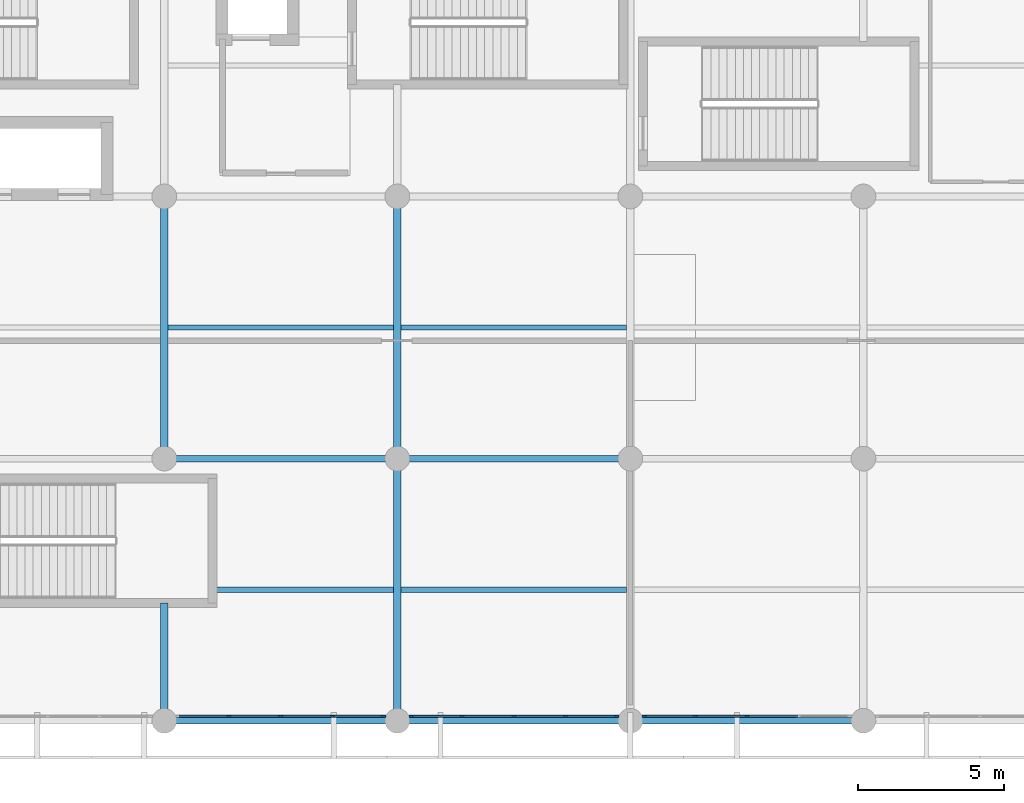
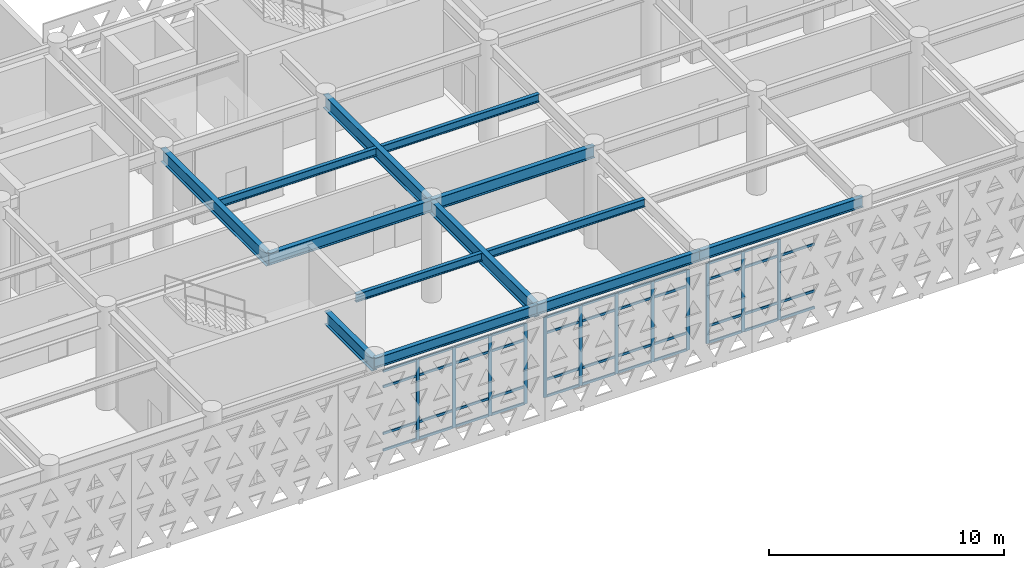
# One storey, part 14 of 84: 55 members, 13 beams, 3 elements without a shape of their own.
"""IFC4 building model written with IfcOpenShell, lengths in metres."""

from ifc_helpers import new_model, si_unit, direction, frame, origin, origin_2d, place, context, subcontext, project, spatial, rectangle, i_section, extrude, material, layer, layer_set, material_profile, profile_set, type_object, element, aggregate, save


model = new_model("IFC4")

# Units and contexts
model_context = context("Model", 3, precision=1e-05, world=origin(), true_north=direction((0.0, 1.0)))
body_context = subcontext(model_context, "Body", "Model", "MODEL_VIEW")
ifc_project = project(units=[si_unit("LENGTHUNIT", "METRE"), si_unit("AREAUNIT", "SQUARE_METRE"), si_unit("VOLUMEUNIT", "CUBIC_METRE"), si_unit("PLANEANGLEUNIT", "RADIAN"), si_unit("MASSUNIT", "GRAM", prefix="KILO")], contexts=[model_context])

# Site, building, storey
site_placement = place(None, origin())
site = spatial("IfcSite", under=ifc_project, at=site_placement, CompositionType="ELEMENT")
building_placement = place(site_placement, origin())
building = spatial("IfcBuilding", under=site, at=building_placement, Name="Tlacozan Convention Centre", CompositionType="ELEMENT")
storey_placement = place(building_placement, frame((0.0, 0.0, 6.0)))
storey = spatial("IfcBuildingStorey", under=building, at=storey_placement, Name="L01", CompositionType="ELEMENT", Elevation=6.0)

# Curtain wall, members
ifc_material_1 = material(Name="Dark Bronze Anodised Aluminium", Category="aluminium")
ifc_layer = layer(ifc_material_1, 0.159912109375)
ifc_layer_set = layer_set([ifc_layer], Name="Dark Bronze Anodised Aluminium")
curtain_wall_type = type_object("IfcCurtainWallType", Name="Unitised Congress L01 South CW02", PredefinedType="NOTDEFINED", material=ifc_layer_set)
curtain_wall_1_placement = place(storey_placement, origin())
curtain_wall_1 = element("IfcCurtainWall", 1, at=curtain_wall_1_placement, inside=storey, type_object=curtain_wall_type, Name="L01 CW-02 Run 59", PredefinedType="NOTDEFINED")
ifc_material_profile_1 = material_profile(ifc_material_1, rectangle(XDim=0.06494140625, YDim=0.159912109375, at=origin_2d()), Name="ALU 65x160")
ifc_profile_set_1 = profile_set([ifc_material_profile_1], Name="Dark Bronze Anodised Aluminium")
member_type_1 = type_object("IfcMemberType", Name="Curtain Wall Mullion 65x160", PredefinedType="MULLION", material=ifc_profile_set_1)
member_1_placement = place(storey_placement, frame((34.22509765625, 0.159912109375, 0.0), z_axis=(0.0, 0.0, 1.0), x_axis=(0.0, 1.0, 0.0)))
member_1 = element("IfcMember", 2, at=member_1_placement, type_object=member_type_1, Name="CW-02 mullion 2", PredefinedType="MULLION", context=body_context, shape_type="SweptSolid", body=[
    extrude(rectangle(XDim=0.06494140625, YDim=0.159912109375, at=origin_2d()), origin(), (0.0, 0.0, 1.0), 4.179931640625),
])
member_2_placement = place(storey_placement, frame((36.0, 0.159912109375, 0.0), z_axis=(0.0, 0.0, 1.0), x_axis=(0.0, 1.0, 0.0)))
member_2 = element("IfcMember", 3, at=member_2_placement, type_object=member_type_1, Name="CW-02 mullion 3", PredefinedType="MULLION", context=body_context, shape_type="SweptSolid", body=[
    extrude(rectangle(XDim=0.06494140625, YDim=0.159912109375, at=origin_2d()), origin(), (0.0, 0.0, 1.0), 4.179931640625),
])
member_3_placement = place(storey_placement, frame((37.77490234375, 0.159912109375, 0.0), z_axis=(0.0, 0.0, 1.0), x_axis=(0.0, 1.0, 0.0)))
member_3 = element("IfcMember", 4, at=member_3_placement, type_object=member_type_1, Name="CW-02 mullion 4", PredefinedType="MULLION", context=body_context, shape_type="SweptSolid", body=[
    extrude(rectangle(XDim=0.06494140625, YDim=0.159912109375, at=origin_2d()), origin(), (0.0, 0.0, 1.0), 4.179931640625),
])
member_4_placement = place(storey_placement, frame((39.517578125, 0.159912109375, 0.0), z_axis=(0.0, 0.0, 1.0), x_axis=(0.0, 1.0, 0.0)))
member_4 = element("IfcMember", 5, at=member_4_placement, type_object=member_type_1, Name="CW-02 mullion 5", PredefinedType="MULLION", context=body_context, shape_type="SweptSolid", body=[
    extrude(rectangle(XDim=0.06494140625, YDim=0.159912109375, at=origin_2d()), origin(), (0.0, 0.0, 1.0), 4.179931640625),
])

curtain_wall_2_placement = place(storey_placement, origin())
curtain_wall_2 = element("IfcCurtainWall", 6, at=curtain_wall_2_placement, inside=storey, type_object=curtain_wall_type, Name="L01 CW-02 Run 60", PredefinedType="NOTDEFINED")
member_5_placement = place(storey_placement, frame((40.482421875, 0.159912109375, 0.0), z_axis=(0.0, 0.0, 1.0), x_axis=(0.0, 1.0, 0.0)))
member_5 = element("IfcMember", 7, at=member_5_placement, type_object=member_type_1, Name="CW-02 mullion 1", PredefinedType="MULLION", context=body_context, shape_type="SweptSolid", body=[
    extrude(rectangle(XDim=0.06494140625, YDim=0.159912109375, at=origin_2d()), origin(), (0.0, 0.0, 1.0), 4.179931640625),
])
member_6_placement = place(storey_placement, frame((42.22509765625, 0.159912109375, 0.0), z_axis=(0.0, 0.0, 1.0), x_axis=(0.0, 1.0, 0.0)))
member_6 = element("IfcMember", 8, at=member_6_placement, type_object=member_type_1, Name="CW-02 mullion 2", PredefinedType="MULLION", context=body_context, shape_type="SweptSolid", body=[
    extrude(rectangle(XDim=0.06494140625, YDim=0.159912109375, at=origin_2d()), origin(), (0.0, 0.0, 1.0), 4.179931640625),
])
member_7_placement = place(storey_placement, frame((44.0, 0.159912109375, 0.0), z_axis=(0.0, 0.0, 1.0), x_axis=(0.0, 1.0, 0.0)))
member_7 = element("IfcMember", 9, at=member_7_placement, type_object=member_type_1, Name="CW-02 mullion 3", PredefinedType="MULLION", context=body_context, shape_type="SweptSolid", body=[
    extrude(rectangle(XDim=0.06494140625, YDim=0.159912109375, at=origin_2d()), origin(), (0.0, 0.0, 1.0), 4.179931640625),
])
member_8_placement = place(storey_placement, frame((45.77490234375, 0.159912109375, 0.0), z_axis=(0.0, 0.0, 1.0), x_axis=(0.0, 1.0, 0.0)))
member_8 = element("IfcMember", 10, at=member_8_placement, type_object=member_type_1, Name="CW-02 mullion 4", PredefinedType="MULLION", context=body_context, shape_type="SweptSolid", body=[
    extrude(rectangle(XDim=0.06494140625, YDim=0.159912109375, at=origin_2d()), origin(), (0.0, 0.0, 1.0), 4.179931640625),
])
member_9_placement = place(storey_placement, frame((47.517578125, 0.159912109375, 0.0), z_axis=(0.0, 0.0, 1.0), x_axis=(0.0, 1.0, 0.0)))
member_9 = element("IfcMember", 11, at=member_9_placement, type_object=member_type_1, Name="CW-02 mullion 5", PredefinedType="MULLION", context=body_context, shape_type="SweptSolid", body=[
    extrude(rectangle(XDim=0.06494140625, YDim=0.159912109375, at=origin_2d()), origin(), (0.0, 0.0, 1.0), 4.179931640625),
])

curtain_wall_3_placement = place(storey_placement, origin())
curtain_wall_3 = element("IfcCurtainWall", 12, at=curtain_wall_3_placement, inside=storey, type_object=curtain_wall_type, Name="L01 CW-02 Run 61", PredefinedType="NOTDEFINED")
member_10_placement = place(storey_placement, frame((48.482421875, 0.159912109375, 0.0), z_axis=(0.0, 0.0, 1.0), x_axis=(0.0, 1.0, 0.0)))
member_10 = element("IfcMember", 13, at=member_10_placement, type_object=member_type_1, Name="CW-02 mullion 1", PredefinedType="MULLION", context=body_context, shape_type="SweptSolid", body=[
    extrude(rectangle(XDim=0.06494140625, YDim=0.159912109375, at=origin_2d()), origin(), (0.0, 0.0, 1.0), 4.179931640625),
])
member_11_placement = place(storey_placement, frame((50.22509765625, 0.159912109375, 0.0), z_axis=(0.0, 0.0, 1.0), x_axis=(0.0, 1.0, 0.0)))
member_11 = element("IfcMember", 14, at=member_11_placement, type_object=member_type_1, Name="CW-02 mullion 2", PredefinedType="MULLION", context=body_context, shape_type="SweptSolid", body=[
    extrude(rectangle(XDim=0.06494140625, YDim=0.159912109375, at=origin_2d()), origin(), (0.0, 0.0, 1.0), 4.179931640625),
])
member_12_placement = place(storey_placement, frame((52.0, 0.159912109375, 0.0), z_axis=(0.0, 0.0, 1.0), x_axis=(0.0, 1.0, 0.0)))
member_12 = element("IfcMember", 15, at=member_12_placement, type_object=member_type_1, Name="CW-02 mullion 3", PredefinedType="MULLION", context=body_context, shape_type="SweptSolid", body=[
    extrude(rectangle(XDim=0.06494140625, YDim=0.159912109375, at=origin_2d()), origin(), (0.0, 0.0, 1.0), 4.179931640625),
])

# Member
ifc_material_profile_2 = material_profile(ifc_material_1, rectangle(XDim=0.06494140625, YDim=0.125, at=origin_2d()), Name="ALU 65x125")
ifc_profile_set_2 = profile_set([ifc_material_profile_2], Name="Dark Bronze Anodised Aluminium")
member_type_2 = type_object("IfcMemberType", Name="Curtain Wall Transom 65x125", PredefinedType="USERDEFINED", material=ifc_profile_set_2)
member_13_placement = place(storey_placement, frame((32.514892578125, 0.159912109375, 0.032470703125), z_axis=(1.0, 0.0, 0.0), x_axis=(0.0, 1.0, 0.0)))
member_13 = element("IfcMember", 16, at=member_13_placement, type_object=member_type_2, Name="CW-02 transom 1.1", ObjectType="TRANSOM", PredefinedType="USERDEFINED", context=body_context, shape_type="SweptSolid", body=[
    extrude(rectangle(XDim=0.06494140625, YDim=0.125, at=origin_2d()), origin(), (0.0, 0.0, 1.0), 1.677490234375),
])

member_14_placement = place(storey_placement, frame((32.514892578125, 0.159912109375, 0.89990234375), z_axis=(1.0, 0.0, 0.0), x_axis=(0.0, 1.0, 0.0)))
member_14 = element("IfcMember", 17, at=member_14_placement, type_object=member_type_2, Name="CW-02 transom 1.2", ObjectType="TRANSOM", PredefinedType="USERDEFINED", context=body_context, shape_type="SweptSolid", body=[
    extrude(rectangle(XDim=0.06494140625, YDim=0.125, at=origin_2d()), origin(), (0.0, 0.0, 1.0), 1.677490234375),
])

member_15_placement = place(storey_placement, frame((32.514892578125, 0.159912109375, 3.330078125), z_axis=(1.0, 0.0, 0.0), x_axis=(0.0, 1.0, 0.0)))
member_15 = element("IfcMember", 18, at=member_15_placement, type_object=member_type_2, Name="CW-02 transom 1.3", ObjectType="TRANSOM", PredefinedType="USERDEFINED", context=body_context, shape_type="SweptSolid", body=[
    extrude(rectangle(XDim=0.06494140625, YDim=0.125, at=origin_2d()), origin(), (0.0, 0.0, 1.0), 1.677490234375),
])

member_16_placement = place(storey_placement, frame((32.514892578125, 0.159912109375, 4.1474609375), z_axis=(1.0, 0.0, 0.0), x_axis=(0.0, 1.0, 0.0)))
member_16 = element("IfcMember", 19, at=member_16_placement, type_object=member_type_2, Name="CW-02 transom 1.4", ObjectType="TRANSOM", PredefinedType="USERDEFINED", context=body_context, shape_type="SweptSolid", body=[
    extrude(rectangle(XDim=0.06494140625, YDim=0.125, at=origin_2d()), origin(), (0.0, 0.0, 1.0), 1.677490234375),
])

member_17_placement = place(storey_placement, frame((34.257568359375, 0.159912109375, 0.032470703125), z_axis=(1.0, 0.0, 0.0), x_axis=(0.0, 1.0, 0.0)))
member_17 = element("IfcMember", 20, at=member_17_placement, type_object=member_type_2, Name="CW-02 transom 2.1", ObjectType="TRANSOM", PredefinedType="USERDEFINED", context=body_context, shape_type="SweptSolid", body=[
    extrude(rectangle(XDim=0.06494140625, YDim=0.125, at=origin_2d()), origin(), (0.0, 0.0, 1.0), 1.7099609375),
])

member_18_placement = place(storey_placement, frame((34.257568359375, 0.159912109375, 0.89990234375), z_axis=(1.0, 0.0, 0.0), x_axis=(0.0, 1.0, 0.0)))
member_18 = element("IfcMember", 21, at=member_18_placement, type_object=member_type_2, Name="CW-02 transom 2.2", ObjectType="TRANSOM", PredefinedType="USERDEFINED", context=body_context, shape_type="SweptSolid", body=[
    extrude(rectangle(XDim=0.06494140625, YDim=0.125, at=origin_2d()), origin(), (0.0, 0.0, 1.0), 1.7099609375),
])

member_19_placement = place(storey_placement, frame((34.257568359375, 0.159912109375, 3.330078125), z_axis=(1.0, 0.0, 0.0), x_axis=(0.0, 1.0, 0.0)))
member_19 = element("IfcMember", 22, at=member_19_placement, type_object=member_type_2, Name="CW-02 transom 2.3", ObjectType="TRANSOM", PredefinedType="USERDEFINED", context=body_context, shape_type="SweptSolid", body=[
    extrude(rectangle(XDim=0.06494140625, YDim=0.125, at=origin_2d()), origin(), (0.0, 0.0, 1.0), 1.7099609375),
])

member_20_placement = place(storey_placement, frame((34.257568359375, 0.159912109375, 4.1474609375), z_axis=(1.0, 0.0, 0.0), x_axis=(0.0, 1.0, 0.0)))
member_20 = element("IfcMember", 23, at=member_20_placement, type_object=member_type_2, Name="CW-02 transom 2.4", ObjectType="TRANSOM", PredefinedType="USERDEFINED", context=body_context, shape_type="SweptSolid", body=[
    extrude(rectangle(XDim=0.06494140625, YDim=0.125, at=origin_2d()), origin(), (0.0, 0.0, 1.0), 1.7099609375),
])

member_21_placement = place(storey_placement, frame((36.032470703125, 0.159912109375, 0.032470703125), z_axis=(1.0, 0.0, 0.0), x_axis=(0.0, 1.0, 0.0)))
member_21 = element("IfcMember", 24, at=member_21_placement, type_object=member_type_2, Name="CW-02 transom 3.1", ObjectType="TRANSOM", PredefinedType="USERDEFINED", context=body_context, shape_type="SweptSolid", body=[
    extrude(rectangle(XDim=0.06494140625, YDim=0.125, at=origin_2d()), origin(), (0.0, 0.0, 1.0), 1.7099609375),
])

member_22_placement = place(storey_placement, frame((36.032470703125, 0.159912109375, 0.89990234375), z_axis=(1.0, 0.0, 0.0), x_axis=(0.0, 1.0, 0.0)))
member_22 = element("IfcMember", 25, at=member_22_placement, type_object=member_type_2, Name="CW-02 transom 3.2", ObjectType="TRANSOM", PredefinedType="USERDEFINED", context=body_context, shape_type="SweptSolid", body=[
    extrude(rectangle(XDim=0.06494140625, YDim=0.125, at=origin_2d()), origin(), (0.0, 0.0, 1.0), 1.7099609375),
])

member_23_placement = place(storey_placement, frame((36.032470703125, 0.159912109375, 3.330078125), z_axis=(1.0, 0.0, 0.0), x_axis=(0.0, 1.0, 0.0)))
member_23 = element("IfcMember", 26, at=member_23_placement, type_object=member_type_2, Name="CW-02 transom 3.3", ObjectType="TRANSOM", PredefinedType="USERDEFINED", context=body_context, shape_type="SweptSolid", body=[
    extrude(rectangle(XDim=0.06494140625, YDim=0.125, at=origin_2d()), origin(), (0.0, 0.0, 1.0), 1.7099609375),
])

member_24_placement = place(storey_placement, frame((36.032470703125, 0.159912109375, 4.1474609375), z_axis=(1.0, 0.0, 0.0), x_axis=(0.0, 1.0, 0.0)))
member_24 = element("IfcMember", 27, at=member_24_placement, type_object=member_type_2, Name="CW-02 transom 3.4", ObjectType="TRANSOM", PredefinedType="USERDEFINED", context=body_context, shape_type="SweptSolid", body=[
    extrude(rectangle(XDim=0.06494140625, YDim=0.125, at=origin_2d()), origin(), (0.0, 0.0, 1.0), 1.7099609375),
])

member_25_placement = place(storey_placement, frame((37.8076171875, 0.159912109375, 0.032470703125), z_axis=(1.0, 0.0, 0.0), x_axis=(0.0, 1.0, 0.0)))
member_25 = element("IfcMember", 28, at=member_25_placement, type_object=member_type_2, Name="CW-02 transom 4.1", ObjectType="TRANSOM", PredefinedType="USERDEFINED", context=body_context, shape_type="SweptSolid", body=[
    extrude(rectangle(XDim=0.06494140625, YDim=0.125, at=origin_2d()), origin(), (0.0, 0.0, 1.0), 1.677490234375),
])

member_26_placement = place(storey_placement, frame((37.8076171875, 0.159912109375, 0.89990234375), z_axis=(1.0, 0.0, 0.0), x_axis=(0.0, 1.0, 0.0)))
member_26 = element("IfcMember", 29, at=member_26_placement, type_object=member_type_2, Name="CW-02 transom 4.2", ObjectType="TRANSOM", PredefinedType="USERDEFINED", context=body_context, shape_type="SweptSolid", body=[
    extrude(rectangle(XDim=0.06494140625, YDim=0.125, at=origin_2d()), origin(), (0.0, 0.0, 1.0), 1.677490234375),
])

member_27_placement = place(storey_placement, frame((37.8076171875, 0.159912109375, 3.330078125), z_axis=(1.0, 0.0, 0.0), x_axis=(0.0, 1.0, 0.0)))
member_27 = element("IfcMember", 30, at=member_27_placement, type_object=member_type_2, Name="CW-02 transom 4.3", ObjectType="TRANSOM", PredefinedType="USERDEFINED", context=body_context, shape_type="SweptSolid", body=[
    extrude(rectangle(XDim=0.06494140625, YDim=0.125, at=origin_2d()), origin(), (0.0, 0.0, 1.0), 1.677490234375),
])

member_28_placement = place(storey_placement, frame((37.8076171875, 0.159912109375, 4.1474609375), z_axis=(1.0, 0.0, 0.0), x_axis=(0.0, 1.0, 0.0)))
member_28 = element("IfcMember", 31, at=member_28_placement, type_object=member_type_2, Name="CW-02 transom 4.4", ObjectType="TRANSOM", PredefinedType="USERDEFINED", context=body_context, shape_type="SweptSolid", body=[
    extrude(rectangle(XDim=0.06494140625, YDim=0.125, at=origin_2d()), origin(), (0.0, 0.0, 1.0), 1.677490234375),
])

aggregate(curtain_wall_1, [member_1, member_2, member_3, member_4, member_13, member_14, member_15, member_16, member_17, member_18, member_19, member_20, member_21, member_22, member_23, member_24, member_25, member_26, member_27, member_28])

member_29_placement = place(storey_placement, frame((40.514892578125, 0.159912109375, 0.032470703125), z_axis=(1.0, 0.0, 0.0), x_axis=(0.0, 1.0, 0.0)))
member_29 = element("IfcMember", 32, at=member_29_placement, type_object=member_type_2, Name="CW-02 transom 1.1", ObjectType="TRANSOM", PredefinedType="USERDEFINED", context=body_context, shape_type="SweptSolid", body=[
    extrude(rectangle(XDim=0.06494140625, YDim=0.125, at=origin_2d()), origin(), (0.0, 0.0, 1.0), 1.677490234375),
])

member_30_placement = place(storey_placement, frame((40.514892578125, 0.159912109375, 0.89990234375), z_axis=(1.0, 0.0, 0.0), x_axis=(0.0, 1.0, 0.0)))
member_30 = element("IfcMember", 33, at=member_30_placement, type_object=member_type_2, Name="CW-02 transom 1.2", ObjectType="TRANSOM", PredefinedType="USERDEFINED", context=body_context, shape_type="SweptSolid", body=[
    extrude(rectangle(XDim=0.06494140625, YDim=0.125, at=origin_2d()), origin(), (0.0, 0.0, 1.0), 1.677490234375),
])

member_31_placement = place(storey_placement, frame((40.514892578125, 0.159912109375, 3.330078125), z_axis=(1.0, 0.0, 0.0), x_axis=(0.0, 1.0, 0.0)))
member_31 = element("IfcMember", 34, at=member_31_placement, type_object=member_type_2, Name="CW-02 transom 1.3", ObjectType="TRANSOM", PredefinedType="USERDEFINED", context=body_context, shape_type="SweptSolid", body=[
    extrude(rectangle(XDim=0.06494140625, YDim=0.125, at=origin_2d()), origin(), (0.0, 0.0, 1.0), 1.677490234375),
])

member_32_placement = place(storey_placement, frame((40.514892578125, 0.159912109375, 4.1474609375), z_axis=(1.0, 0.0, 0.0), x_axis=(0.0, 1.0, 0.0)))
member_32 = element("IfcMember", 35, at=member_32_placement, type_object=member_type_2, Name="CW-02 transom 1.4", ObjectType="TRANSOM", PredefinedType="USERDEFINED", context=body_context, shape_type="SweptSolid", body=[
    extrude(rectangle(XDim=0.06494140625, YDim=0.125, at=origin_2d()), origin(), (0.0, 0.0, 1.0), 1.677490234375),
])

member_33_placement = place(storey_placement, frame((42.257568359375, 0.159912109375, 0.032470703125), z_axis=(1.0, 0.0, 0.0), x_axis=(0.0, 1.0, 0.0)))
member_33 = element("IfcMember", 36, at=member_33_placement, type_object=member_type_2, Name="CW-02 transom 2.1", ObjectType="TRANSOM", PredefinedType="USERDEFINED", context=body_context, shape_type="SweptSolid", body=[
    extrude(rectangle(XDim=0.06494140625, YDim=0.125, at=origin_2d()), origin(), (0.0, 0.0, 1.0), 1.7099609375),
])

member_34_placement = place(storey_placement, frame((42.257568359375, 0.159912109375, 0.89990234375), z_axis=(1.0, 0.0, 0.0), x_axis=(0.0, 1.0, 0.0)))
member_34 = element("IfcMember", 37, at=member_34_placement, type_object=member_type_2, Name="CW-02 transom 2.2", ObjectType="TRANSOM", PredefinedType="USERDEFINED", context=body_context, shape_type="SweptSolid", body=[
    extrude(rectangle(XDim=0.06494140625, YDim=0.125, at=origin_2d()), origin(), (0.0, 0.0, 1.0), 1.7099609375),
])

member_35_placement = place(storey_placement, frame((42.257568359375, 0.159912109375, 3.330078125), z_axis=(1.0, 0.0, 0.0), x_axis=(0.0, 1.0, 0.0)))
member_35 = element("IfcMember", 38, at=member_35_placement, type_object=member_type_2, Name="CW-02 transom 2.3", ObjectType="TRANSOM", PredefinedType="USERDEFINED", context=body_context, shape_type="SweptSolid", body=[
    extrude(rectangle(XDim=0.06494140625, YDim=0.125, at=origin_2d()), origin(), (0.0, 0.0, 1.0), 1.7099609375),
])

member_36_placement = place(storey_placement, frame((42.257568359375, 0.159912109375, 4.1474609375), z_axis=(1.0, 0.0, 0.0), x_axis=(0.0, 1.0, 0.0)))
member_36 = element("IfcMember", 39, at=member_36_placement, type_object=member_type_2, Name="CW-02 transom 2.4", ObjectType="TRANSOM", PredefinedType="USERDEFINED", context=body_context, shape_type="SweptSolid", body=[
    extrude(rectangle(XDim=0.06494140625, YDim=0.125, at=origin_2d()), origin(), (0.0, 0.0, 1.0), 1.7099609375),
])

member_37_placement = place(storey_placement, frame((44.032470703125, 0.159912109375, 0.032470703125), z_axis=(1.0, 0.0, 0.0), x_axis=(0.0, 1.0, 0.0)))
member_37 = element("IfcMember", 40, at=member_37_placement, type_object=member_type_2, Name="CW-02 transom 3.1", ObjectType="TRANSOM", PredefinedType="USERDEFINED", context=body_context, shape_type="SweptSolid", body=[
    extrude(rectangle(XDim=0.06494140625, YDim=0.125, at=origin_2d()), origin(), (0.0, 0.0, 1.0), 1.7099609375),
])

member_38_placement = place(storey_placement, frame((44.032470703125, 0.159912109375, 0.89990234375), z_axis=(1.0, 0.0, 0.0), x_axis=(0.0, 1.0, 0.0)))
member_38 = element("IfcMember", 41, at=member_38_placement, type_object=member_type_2, Name="CW-02 transom 3.2", ObjectType="TRANSOM", PredefinedType="USERDEFINED", context=body_context, shape_type="SweptSolid", body=[
    extrude(rectangle(XDim=0.06494140625, YDim=0.125, at=origin_2d()), origin(), (0.0, 0.0, 1.0), 1.7099609375),
])

member_39_placement = place(storey_placement, frame((44.032470703125, 0.159912109375, 3.330078125), z_axis=(1.0, 0.0, 0.0), x_axis=(0.0, 1.0, 0.0)))
member_39 = element("IfcMember", 42, at=member_39_placement, type_object=member_type_2, Name="CW-02 transom 3.3", ObjectType="TRANSOM", PredefinedType="USERDEFINED", context=body_context, shape_type="SweptSolid", body=[
    extrude(rectangle(XDim=0.06494140625, YDim=0.125, at=origin_2d()), origin(), (0.0, 0.0, 1.0), 1.7099609375),
])

member_40_placement = place(storey_placement, frame((44.032470703125, 0.159912109375, 4.1474609375), z_axis=(1.0, 0.0, 0.0), x_axis=(0.0, 1.0, 0.0)))
member_40 = element("IfcMember", 43, at=member_40_placement, type_object=member_type_2, Name="CW-02 transom 3.4", ObjectType="TRANSOM", PredefinedType="USERDEFINED", context=body_context, shape_type="SweptSolid", body=[
    extrude(rectangle(XDim=0.06494140625, YDim=0.125, at=origin_2d()), origin(), (0.0, 0.0, 1.0), 1.7099609375),
])

member_41_placement = place(storey_placement, frame((45.8076171875, 0.159912109375, 0.032470703125), z_axis=(1.0, 0.0, 0.0), x_axis=(0.0, 1.0, 0.0)))
member_41 = element("IfcMember", 44, at=member_41_placement, type_object=member_type_2, Name="CW-02 transom 4.1", ObjectType="TRANSOM", PredefinedType="USERDEFINED", context=body_context, shape_type="SweptSolid", body=[
    extrude(rectangle(XDim=0.06494140625, YDim=0.125, at=origin_2d()), origin(), (0.0, 0.0, 1.0), 1.677490234375),
])

member_42_placement = place(storey_placement, frame((45.8076171875, 0.159912109375, 0.89990234375), z_axis=(1.0, 0.0, 0.0), x_axis=(0.0, 1.0, 0.0)))
member_42 = element("IfcMember", 45, at=member_42_placement, type_object=member_type_2, Name="CW-02 transom 4.2", ObjectType="TRANSOM", PredefinedType="USERDEFINED", context=body_context, shape_type="SweptSolid", body=[
    extrude(rectangle(XDim=0.06494140625, YDim=0.125, at=origin_2d()), origin(), (0.0, 0.0, 1.0), 1.677490234375),
])

member_43_placement = place(storey_placement, frame((45.8076171875, 0.159912109375, 3.330078125), z_axis=(1.0, 0.0, 0.0), x_axis=(0.0, 1.0, 0.0)))
member_43 = element("IfcMember", 46, at=member_43_placement, type_object=member_type_2, Name="CW-02 transom 4.3", ObjectType="TRANSOM", PredefinedType="USERDEFINED", context=body_context, shape_type="SweptSolid", body=[
    extrude(rectangle(XDim=0.06494140625, YDim=0.125, at=origin_2d()), origin(), (0.0, 0.0, 1.0), 1.677490234375),
])

member_44_placement = place(storey_placement, frame((45.8076171875, 0.159912109375, 4.1474609375), z_axis=(1.0, 0.0, 0.0), x_axis=(0.0, 1.0, 0.0)))
member_44 = element("IfcMember", 47, at=member_44_placement, type_object=member_type_2, Name="CW-02 transom 4.4", ObjectType="TRANSOM", PredefinedType="USERDEFINED", context=body_context, shape_type="SweptSolid", body=[
    extrude(rectangle(XDim=0.06494140625, YDim=0.125, at=origin_2d()), origin(), (0.0, 0.0, 1.0), 1.677490234375),
])

aggregate(curtain_wall_2, [member_5, member_6, member_7, member_8, member_9, member_29, member_30, member_31, member_32, member_33, member_34, member_35, member_36, member_37, member_38, member_39, member_40, member_41, member_42, member_43, member_44])

member_45_placement = place(storey_placement, frame((48.514892578125, 0.159912109375, 0.032470703125), z_axis=(1.0, 0.0, 0.0), x_axis=(0.0, 1.0, 0.0)))
member_45 = element("IfcMember", 48, at=member_45_placement, type_object=member_type_2, Name="CW-02 transom 1.1", ObjectType="TRANSOM", PredefinedType="USERDEFINED", context=body_context, shape_type="SweptSolid", body=[
    extrude(rectangle(XDim=0.06494140625, YDim=0.125, at=origin_2d()), origin(), (0.0, 0.0, 1.0), 1.677490234375),
])

member_46_placement = place(storey_placement, frame((48.514892578125, 0.159912109375, 0.89990234375), z_axis=(1.0, 0.0, 0.0), x_axis=(0.0, 1.0, 0.0)))
member_46 = element("IfcMember", 49, at=member_46_placement, type_object=member_type_2, Name="CW-02 transom 1.2", ObjectType="TRANSOM", PredefinedType="USERDEFINED", context=body_context, shape_type="SweptSolid", body=[
    extrude(rectangle(XDim=0.06494140625, YDim=0.125, at=origin_2d()), origin(), (0.0, 0.0, 1.0), 1.677490234375),
])

member_47_placement = place(storey_placement, frame((48.514892578125, 0.159912109375, 3.330078125), z_axis=(1.0, 0.0, 0.0), x_axis=(0.0, 1.0, 0.0)))
member_47 = element("IfcMember", 50, at=member_47_placement, type_object=member_type_2, Name="CW-02 transom 1.3", ObjectType="TRANSOM", PredefinedType="USERDEFINED", context=body_context, shape_type="SweptSolid", body=[
    extrude(rectangle(XDim=0.06494140625, YDim=0.125, at=origin_2d()), origin(), (0.0, 0.0, 1.0), 1.677490234375),
])

member_48_placement = place(storey_placement, frame((48.514892578125, 0.159912109375, 4.1474609375), z_axis=(1.0, 0.0, 0.0), x_axis=(0.0, 1.0, 0.0)))
member_48 = element("IfcMember", 51, at=member_48_placement, type_object=member_type_2, Name="CW-02 transom 1.4", ObjectType="TRANSOM", PredefinedType="USERDEFINED", context=body_context, shape_type="SweptSolid", body=[
    extrude(rectangle(XDim=0.06494140625, YDim=0.125, at=origin_2d()), origin(), (0.0, 0.0, 1.0), 1.677490234375),
])

member_49_placement = place(storey_placement, frame((50.257568359375, 0.159912109375, 0.032470703125), z_axis=(1.0, 0.0, 0.0), x_axis=(0.0, 1.0, 0.0)))
member_49 = element("IfcMember", 52, at=member_49_placement, type_object=member_type_2, Name="CW-02 transom 2.1", ObjectType="TRANSOM", PredefinedType="USERDEFINED", context=body_context, shape_type="SweptSolid", body=[
    extrude(rectangle(XDim=0.06494140625, YDim=0.125, at=origin_2d()), origin(), (0.0, 0.0, 1.0), 1.7099609375),
])

member_50_placement = place(storey_placement, frame((50.257568359375, 0.159912109375, 0.89990234375), z_axis=(1.0, 0.0, 0.0), x_axis=(0.0, 1.0, 0.0)))
member_50 = element("IfcMember", 53, at=member_50_placement, type_object=member_type_2, Name="CW-02 transom 2.2", ObjectType="TRANSOM", PredefinedType="USERDEFINED", context=body_context, shape_type="SweptSolid", body=[
    extrude(rectangle(XDim=0.06494140625, YDim=0.125, at=origin_2d()), origin(), (0.0, 0.0, 1.0), 1.7099609375),
])

member_51_placement = place(storey_placement, frame((50.257568359375, 0.159912109375, 3.330078125), z_axis=(1.0, 0.0, 0.0), x_axis=(0.0, 1.0, 0.0)))
member_51 = element("IfcMember", 54, at=member_51_placement, type_object=member_type_2, Name="CW-02 transom 2.3", ObjectType="TRANSOM", PredefinedType="USERDEFINED", context=body_context, shape_type="SweptSolid", body=[
    extrude(rectangle(XDim=0.06494140625, YDim=0.125, at=origin_2d()), origin(), (0.0, 0.0, 1.0), 1.7099609375),
])

member_52_placement = place(storey_placement, frame((50.257568359375, 0.159912109375, 4.1474609375), z_axis=(1.0, 0.0, 0.0), x_axis=(0.0, 1.0, 0.0)))
member_52 = element("IfcMember", 55, at=member_52_placement, type_object=member_type_2, Name="CW-02 transom 2.4", ObjectType="TRANSOM", PredefinedType="USERDEFINED", context=body_context, shape_type="SweptSolid", body=[
    extrude(rectangle(XDim=0.06494140625, YDim=0.125, at=origin_2d()), origin(), (0.0, 0.0, 1.0), 1.7099609375),
])

member_53_placement = place(storey_placement, frame((52.032470703125, 0.159912109375, 0.032470703125), z_axis=(1.0, 0.0, 0.0), x_axis=(0.0, 1.0, 0.0)))
member_53 = element("IfcMember", 56, at=member_53_placement, type_object=member_type_2, Name="CW-02 transom 3.1", ObjectType="TRANSOM", PredefinedType="USERDEFINED", context=body_context, shape_type="SweptSolid", body=[
    extrude(rectangle(XDim=0.06494140625, YDim=0.125, at=origin_2d()), origin(), (0.0, 0.0, 1.0), 1.7099609375),
])

member_54_placement = place(storey_placement, frame((52.032470703125, 0.159912109375, 0.89990234375), z_axis=(1.0, 0.0, 0.0), x_axis=(0.0, 1.0, 0.0)))
member_54 = element("IfcMember", 57, at=member_54_placement, type_object=member_type_2, Name="CW-02 transom 3.2", ObjectType="TRANSOM", PredefinedType="USERDEFINED", context=body_context, shape_type="SweptSolid", body=[
    extrude(rectangle(XDim=0.06494140625, YDim=0.125, at=origin_2d()), origin(), (0.0, 0.0, 1.0), 1.7099609375),
])

member_55_placement = place(storey_placement, frame((52.032470703125, 0.159912109375, 3.330078125), z_axis=(1.0, 0.0, 0.0), x_axis=(0.0, 1.0, 0.0)))
member_55 = element("IfcMember", 58, at=member_55_placement, type_object=member_type_2, Name="CW-02 transom 3.3", ObjectType="TRANSOM", PredefinedType="USERDEFINED", context=body_context, shape_type="SweptSolid", body=[
    extrude(rectangle(XDim=0.06494140625, YDim=0.125, at=origin_2d()), origin(), (0.0, 0.0, 1.0), 1.7099609375),
])

aggregate(curtain_wall_3, [member_10, member_11, member_12, member_45, member_46, member_47, member_48, member_49, member_50, member_51, member_52, member_53, member_54, member_55])

# Beams
ifc_material_2 = material(Name="Steel ASTM A992 Grade 50", Category="steel")
ifc_material_profile_3 = material_profile(ifc_material_2, i_section(OverallWidth=0.22900390625, OverallDepth=0.612060546875, WebThickness=0.011962890625, FlangeThickness=0.01953125, FilletRadius=0.012939453125, at=origin_2d()), Name="IR 610x125.0")
ifc_profile_set_3 = profile_set([ifc_material_profile_3], Name="Steel ASTM A992 Grade 50")
beam_type_1 = type_object("IfcBeamType", Name="Floor Beam IR 610x125", PredefinedType="BEAM", material=ifc_profile_set_3)
for number, where, z_axis, x_axis, name in (
    (59, (32.0, 9.0, 4.833984375), (1.0, 0.0, 0.0), (0.0, 1.0, 0.0), "L01 Floor Beam IR 610x125 332"),
    (60, (40.0, 9.0, 4.833984375), (1.0, 0.0, 0.0), (0.0, 1.0, 0.0), "L01 Floor Beam IR 610x125 336"),
):
    element("IfcBeam", number, at=place(storey_placement, frame(where, z_axis=z_axis, x_axis=x_axis)), inside=storey, type_object=beam_type_1, Name=name, PredefinedType="BEAM", context=body_context, shape_type="SweptSolid", body=[
        extrude(i_section(OverallWidth=0.22900390625, OverallDepth=0.612060546875, WebThickness=0.011962890625, FlangeThickness=0.01953125, FilletRadius=0.012939453125, at=origin_2d()), origin(), (0.0, 0.0, 1.0), 8.0),
    ])
ifc_material_profile_4 = material_profile(ifc_material_2, i_section(OverallWidth=0.256103515625, OverallDepth=0.693115234375, WebThickness=0.014404296875, FlangeThickness=0.023681640625, FilletRadius=0.014892578125, at=origin_2d()), Name="IR 686x170.0")
ifc_profile_set_4 = profile_set([ifc_material_profile_4], Name="Steel ASTM A992 Grade 50")
beam_type_2 = type_object("IfcBeamType", Name="Girder Steel IR 686x170", PredefinedType="BEAM", material=ifc_profile_set_4)
beam_1_placement = place(storey_placement, frame((32.0, 0.0, 4.79345703125), z_axis=(0.0, 1.0, 0.0), x_axis=(-1.0, 0.0, 0.0)))
element("IfcBeam", 61, at=beam_1_placement, inside=storey, type_object=beam_type_2, Name="L01 Girder Steel IR 686x170 272", PredefinedType="BEAM", context=body_context, shape_type="SweptSolid", body=[
    extrude(i_section(OverallWidth=0.256103515625, OverallDepth=0.693115234375, WebThickness=0.014404296875, FlangeThickness=0.023681640625, FilletRadius=0.014892578125, at=origin_2d()), origin(), (0.0, 0.0, 1.0), 4.0400390625),
])
for number, where, z_axis, x_axis, name in (
    (62, (32.0, 9.0, 4.79345703125), (0.0, 1.0, 0.0), (-1.0, 0.0, 0.0), "L01 Girder Steel IR 686x170 273"),
    (63, (40.0, 0.0, 4.79345703125), (0.0, 1.0, 0.0), (-1.0, 0.0, 0.0), "L01 Girder Steel IR 686x170 275"),
    (64, (40.0, 9.0, 4.79345703125), (0.0, 1.0, 0.0), (-1.0, 0.0, 0.0), "L01 Girder Steel IR 686x170 276"),
):
    element("IfcBeam", number, at=place(storey_placement, frame(where, z_axis=z_axis, x_axis=x_axis)), inside=storey, type_object=beam_type_2, Name=name, PredefinedType="BEAM", context=body_context, shape_type="SweptSolid", body=[
        extrude(i_section(OverallWidth=0.256103515625, OverallDepth=0.693115234375, WebThickness=0.014404296875, FlangeThickness=0.023681640625, FilletRadius=0.014892578125, at=origin_2d()), origin(), (0.0, 0.0, 1.0), 9.0),
    ])
ifc_material_profile_5 = material_profile(ifc_material_2, i_section(OverallWidth=0.2109375, OverallDepth=0.5390625, WebThickness=0.01171875, FlangeThickness=0.018798828125, FilletRadius=0.012939453125, at=origin_2d()), Name="IR 533x109.0")
ifc_profile_set_5 = profile_set([ifc_material_profile_5], Name="Steel ASTM A992 Grade 50")
beam_type_3 = type_object("IfcBeamType", Name="Perimeter Spandrel IR 533x109", PredefinedType="SPANDREL", material=ifc_profile_set_5)
for number, where, z_axis, x_axis, name in (
    (65, (32.0, 0.0, 4.87060546875), (1.0, 0.0, 0.0), (0.0, 1.0, 0.0), "L01 Perimeter Spandrel IR 533x109 331"),
    (66, (40.0, 0.0, 4.87060546875), (1.0, 0.0, 0.0), (0.0, 1.0, 0.0), "L01 Perimeter Spandrel IR 533x109 335"),
    (67, (48.0, 0.0, 4.87060546875), (1.0, 0.0, 0.0), (0.0, 1.0, 0.0), "L01 Perimeter Spandrel IR 533x109 339"),
):
    element("IfcBeam", number, at=place(storey_placement, frame(where, z_axis=z_axis, x_axis=x_axis)), inside=storey, type_object=beam_type_3, Name=name, PredefinedType="SPANDREL", context=body_context, shape_type="SweptSolid", body=[
        extrude(i_section(OverallWidth=0.2109375, OverallDepth=0.5390625, WebThickness=0.01171875, FlangeThickness=0.018798828125, FilletRadius=0.012939453125, at=origin_2d()), origin(), (0.0, 0.0, 1.0), 8.0),
    ])
ifc_material_profile_6 = material_profile(ifc_material_2, i_section(OverallWidth=0.179931640625, OverallDepth=0.4130859375, WebThickness=0.009765625, FlangeThickness=0.01611328125, FilletRadius=0.010986328125, at=origin_2d()), Name="IR 406x74.4")
ifc_profile_set_6 = profile_set([ifc_material_profile_6], Name="Steel ASTM A992 Grade 50")
beam_type_4 = type_object("IfcBeamType", Name="Secondary Joist IR 406x74.4", PredefinedType="JOIST", material=ifc_profile_set_6)
beam_2_placement = place(storey_placement, frame((33.659912109375, 4.5, 4.93359375), z_axis=(1.0, 0.0, 0.0), x_axis=(0.0, 1.0, 0.0)))
element("IfcBeam", 68, at=beam_2_placement, inside=storey, type_object=beam_type_4, Name="L01 Secondary Joist IR 406x74.4 372", PredefinedType="JOIST", context=body_context, shape_type="SweptSolid", body=[
    extrude(i_section(OverallWidth=0.179931640625, OverallDepth=0.4130859375, WebThickness=0.009765625, FlangeThickness=0.01611328125, FilletRadius=0.010986328125, at=origin_2d()), origin(), (0.0, 0.0, 1.0), 6.214111328125),
])
for number, where, z_axis, x_axis, name in (
    (69, (32.1259765625, 13.5, 4.93359375), (1.0, 0.0, 0.0), (0.0, 1.0, 0.0), "L01 Secondary Joist IR 406x74.4 373"),
    (70, (40.1259765625, 4.5, 4.93359375), (1.0, 0.0, 0.0), (0.0, 1.0, 0.0), "L01 Secondary Joist IR 406x74.4 375"),
    (71, (40.1259765625, 13.5, 4.93359375), (1.0, 0.0, 0.0), (0.0, 1.0, 0.0), "L01 Secondary Joist IR 406x74.4 376"),
):
    element("IfcBeam", number, at=place(storey_placement, frame(where, z_axis=z_axis, x_axis=x_axis)), inside=storey, type_object=beam_type_4, Name=name, PredefinedType="JOIST", context=body_context, shape_type="SweptSolid", body=[
        extrude(i_section(OverallWidth=0.179931640625, OverallDepth=0.4130859375, WebThickness=0.009765625, FlangeThickness=0.01611328125, FilletRadius=0.010986328125, at=origin_2d()), origin(), (0.0, 0.0, 1.0), 7.748046875),
    ])

save(model, "model.ifc")
